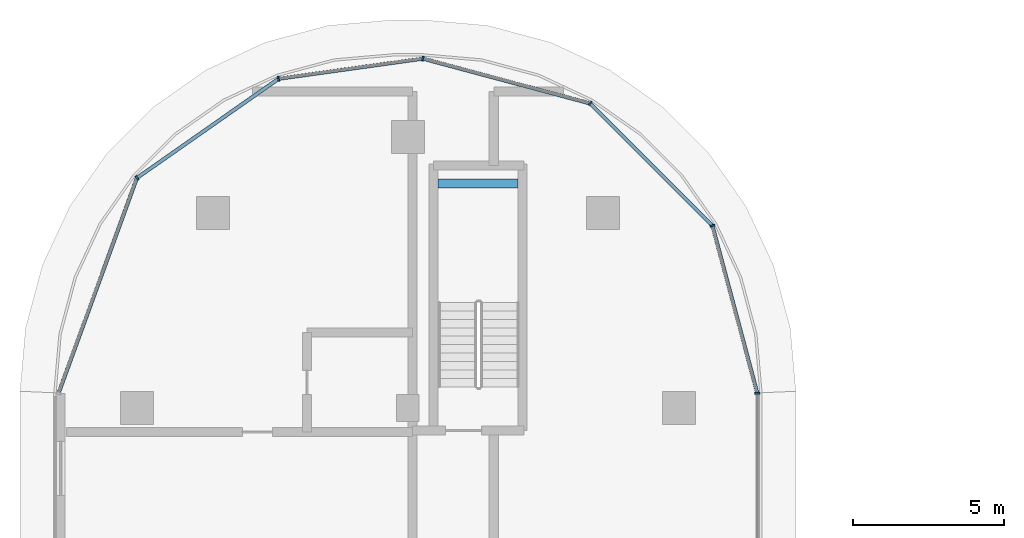
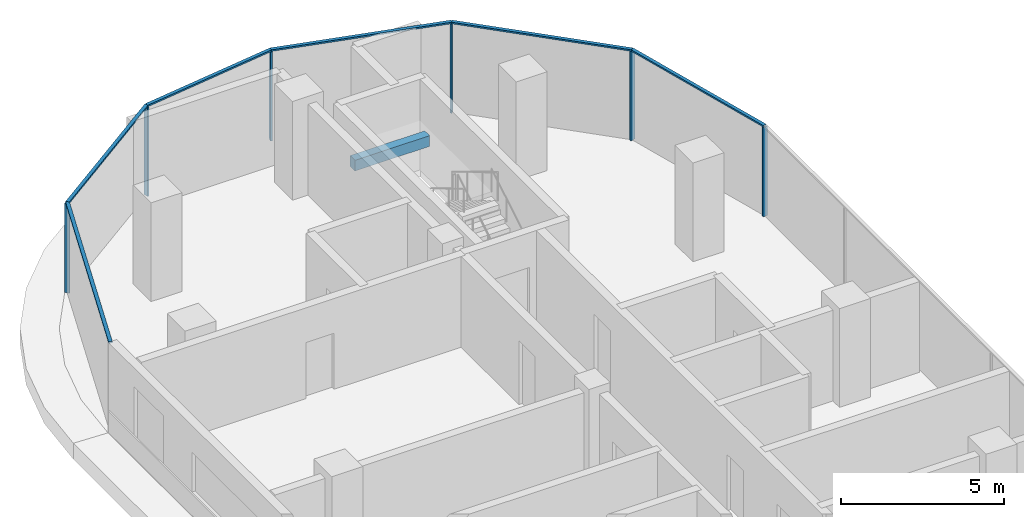
# One storey, part 7 of 23: 12 members, 1 beam, 2 elements without a shape of their own.
"""IFC4 building model written with IfcOpenShell, lengths in metres."""

import ifcopenshell
import ifcopenshell.guid

model = None  # the IFC model being written
_history = None  # IfcOwnerHistory: only IFC2X3 demands one
_inside = {}  # id of a spatial element -> (the spatial element, [elements in it])
_under = {}  # id of a project, library or spatial element -> (it, [spatial elements below it])
_declared = {}  # id of a project -> (the project, [libraries it declares])
_typed = {}  # id of a type object -> (the type object, [elements of that type])
_made_of = {}  # id of a material, layer set ... -> (it, [elements and type objects made of it])


def new_model(schema):
    """Start an empty IFC model of exactly this schema.

    Asked for "IFC4X3", IfcOpenShell would pick the latest addendum, in which some entities
    have other attributes; the version numbers below select the first issue.
    IFC2X3 requires an IfcOwnerHistory on every rooted entity: one is made here for all.
    """
    global model, _history
    if schema == "IFC4X3":
        model = ifcopenshell.file(schema_version=(4, 3, 0, 0))
    else:
        model = ifcopenshell.file(schema=schema)
    _inside.clear()
    _under.clear()
    _declared.clear()
    _typed.clear()
    _made_of.clear()
    _history = None
    if model.schema == "IFC2X3":
        org = make("IfcOrganization", Name="unknown")
        user = make(
            "IfcPersonAndOrganization",
            ThePerson=make("IfcPerson", FamilyName="unknown"),
            TheOrganization=org,
        )
        app = make(
            "IfcApplication",
            ApplicationDeveloper=org,
            Version="unknown",
            ApplicationFullName="unknown",
            ApplicationIdentifier="unknown",
        )
        _history = make(
            "IfcOwnerHistory",
            OwningUser=user,
            OwningApplication=app,
            ChangeAction="ADDED",
            CreationDate=0,
        )
    return model


def make(cls, **values):
    """One entity of the class cls with the attributes given. An attribute that is None is left unset."""
    return model.create_entity(
        cls, **{name: value for name, value in values.items() if value is not None}
    )


def rooted(cls, **values):
    """An entity with a GlobalId (a new one), such as an element, a storey or a relation."""
    return make(cls, GlobalId=ifcopenshell.guid.new(), OwnerHistory=_history, **values)


def si_unit(unit_type, name, prefix=None):
    """IfcSIUnit, for example si_unit("LENGTHUNIT", "METRE", prefix="MILLI")."""
    return make("IfcSIUnit", UnitType=unit_type, Prefix=prefix, Name=name)


def assignment(units):
    """IfcUnitAssignment: the units of a project."""
    return None if units is None else make("IfcUnitAssignment", Units=units)


def point(xyz):
    """IfcCartesianPoint."""
    return None if xyz is None else make("IfcCartesianPoint", Coordinates=xyz)


def direction(xyz):
    """IfcDirection."""
    return None if xyz is None else make("IfcDirection", DirectionRatios=xyz)


def frame(location, z_axis=None, x_axis=None):
    """IfcAxis2Placement3D, a coordinate frame: its origin and axes. An axis left out is left unset."""
    return make(
        "IfcAxis2Placement3D",
        Location=point(location),
        Axis=direction(z_axis),
        RefDirection=direction(x_axis),
    )


def frame_2d(location, x_axis=None):
    """IfcAxis2Placement2D, a coordinate frame in the plane: its origin and x axis."""
    return make(
        "IfcAxis2Placement2D", Location=point(location), RefDirection=direction(x_axis)
    )


def origin():
    """The frame at (0, 0, 0) with its axes left unset."""
    return frame((0.0, 0.0, 0.0))


def origin_2d():
    """The frame at (0, 0) in the plane with its x axis left unset."""
    return frame_2d((0.0, 0.0))


def place(relative_to, where):
    """IfcLocalPlacement: puts the frame where relative to a parent placement (None: the world)."""
    return make(
        "IfcLocalPlacement", PlacementRelTo=relative_to, RelativePlacement=where
    )


def context(
    kind, dimensions, precision=None, world=None, true_north=None, identifier=None
):
    """IfcGeometricRepresentationContext, for example the 3D "Model" context."""
    return make(
        "IfcGeometricRepresentationContext",
        ContextIdentifier=identifier,
        ContextType=kind,
        CoordinateSpaceDimension=dimensions,
        Precision=precision,
        WorldCoordinateSystem=world,
        TrueNorth=true_north,
    )


def subcontext(parent, identifier, kind, view, scale=None):
    """IfcGeometricRepresentationSubContext, for example "Body" below "Model"."""
    return make(
        "IfcGeometricRepresentationSubContext",
        ContextIdentifier=identifier,
        ContextType=kind,
        ParentContext=parent,
        TargetScale=scale,
        TargetView=view,
    )


def project(units=None, contexts=None):
    """IfcProject with its units and contexts."""
    return rooted(
        "IfcProject",
        Name="project",
        RepresentationContexts=contexts,
        UnitsInContext=assignment(units),
    )


def spatial(cls, under=None, at=None, **own):
    """A site, building, storey or space (cls), placed at a placement, below another one or the project."""
    s = rooted(cls, ObjectPlacement=at, **own)
    if under is not None:
        _under.setdefault(under.id(), (under, []))[1].append(s)
    return s


def profile(cls, at=None, kind="AREA", **sizes):
    """A parametric profile (cls). Its sizes go by their IFC names, for example OverallWidth=200.0."""
    return make(cls, ProfileType=kind, Position=at, **sizes)


def rectangle(**sizes):
    """IfcRectangleProfileDef."""
    return profile("IfcRectangleProfileDef", **sizes)


def extrude(swept, where, along, depth):
    """IfcExtrudedAreaSolid: the profile swept, set in the frame where, extruded along a direction by depth."""
    return make(
        "IfcExtrudedAreaSolid",
        SweptArea=swept,
        Position=where,
        ExtrudedDirection=direction(along),
        Depth=depth,
    )


def shape(context_of_items, identifier, shape_type, items):
    """IfcShapeRepresentation: the items that make up one representation, for example the "Body"."""
    return make(
        "IfcShapeRepresentation",
        ContextOfItems=context_of_items,
        RepresentationIdentifier=identifier,
        RepresentationType=shape_type,
        Items=items,
    )


def material(Name=None, Category=None):
    """IfcMaterial."""
    return make("IfcMaterial", Name=Name, Category=Category)


def material_profile(
    of_material, cross_section, Name=None, Category=None, Priority=None
):
    """IfcMaterialProfile: a cross section and its material."""
    return make(
        "IfcMaterialProfile",
        Name=Name,
        Material=of_material,
        Profile=cross_section,
        Priority=Priority,
        Category=Category,
    )


def profile_set(profiles, Name=None, composite=None):
    """IfcMaterialProfileSet."""
    return make(
        "IfcMaterialProfileSet",
        Name=Name,
        MaterialProfiles=profiles,
        CompositeProfile=composite,
    )


def made_of(thing, what):
    """Note that an element or type object is made of a material, layer set ...; save() writes the relation."""
    if what is not None:
        _made_of.setdefault(what.id(), (what, []))[1].append(thing)
    return thing


def type_object(cls, material=None, **own):
    """A type object (cls), such as IfcWallType, which elements share."""
    return made_of(rooted(cls, **own), material)


def element(
    cls,
    number,
    at=None,
    inside=None,
    cuts=None,
    type_object=None,
    material=None,
    context=None,
    identifier="Body",
    shape_type=None,
    held_by="IfcProductDefinitionShape",
    body=None,
    shapes=None,
    **own,
):
    """One element of the class cls, such as IfcWall. Its Tag is "e" and its number.

    at: its placement. inside: the storey or other place that contains it. cuts: it is an
    opening in that element (IfcRelVoidsElement). A single representation is given by context,
    identifier, shape_type and body (its items); several are given by shapes. held_by: the class
    of the entity that holds the representations. save() writes the other relations.
    """
    e = rooted(cls, Tag="e%d" % number, ObjectPlacement=at, **own)
    if body is not None:
        shapes = [shape(context, identifier, shape_type, body)]
    if shapes is not None:
        e.Representation = make(held_by, Representations=shapes)
    if inside is not None:
        _inside.setdefault(inside.id(), (inside, []))[1].append(e)
    if cuts is not None:
        rooted(
            "IfcRelVoidsElement", RelatingBuildingElement=cuts, RelatedOpeningElement=e
        )
    if type_object is not None:
        _typed.setdefault(type_object.id(), (type_object, []))[1].append(e)
    return made_of(e, material)


def aggregate(whole, parts):
    """IfcRelAggregates: a whole, such as a stair, and the parts it consists of."""
    return rooted("IfcRelAggregates", RelatingObject=whole, RelatedObjects=parts)


def save(model, path):
    """Write the relations noted so far, then the file.

    IfcRelAggregates (storeys below a building ...), IfcRelContainedInSpatialStructure (elements
    in a storey), IfcRelDefinesByType, IfcRelAssociatesMaterial and IfcRelDeclares: one each for
    every whole, place, type object, material and project.
    """
    for whole, parts in _under.values():
        aggregate(whole, parts)
    for where, things in _inside.values():
        rooted(
            "IfcRelContainedInSpatialStructure",
            RelatedElements=things,
            RelatingStructure=where,
        )
    for kind, things in _typed.values():
        rooted("IfcRelDefinesByType", RelatedObjects=things, RelatingType=kind)
    for what, things in _made_of.values():
        rooted("IfcRelAssociatesMaterial", RelatedObjects=things, RelatingMaterial=what)
    for by, libraries in _declared.values():
        rooted("IfcRelDeclares", RelatingContext=by, RelatedDefinitions=libraries)
    model.write(path)


model = new_model("IFC4")

# Units and contexts
model_context = context("Model", 3, precision=1e-05, world=origin(), true_north=direction((0.0, 1.0)))
body_context = subcontext(model_context, "Body", "Model", "MODEL_VIEW")
ifc_project = project(units=[si_unit("LENGTHUNIT", "METRE"), si_unit("AREAUNIT", "SQUARE_METRE"), si_unit("VOLUMEUNIT", "CUBIC_METRE"), si_unit("PLANEANGLEUNIT", "RADIAN"), si_unit("MASSUNIT", "GRAM", prefix="KILO")], contexts=[model_context])

# Site, building, storey
site_placement = place(None, origin())
site = spatial("IfcSite", under=ifc_project, at=site_placement, CompositionType="ELEMENT")
building_placement = place(site_placement, origin())
building = spatial("IfcBuilding", under=site, at=building_placement, Name="Ogive Portal Towers", CompositionType="ELEMENT")
storey_placement = place(building_placement, frame((0.0, 0.0, 179.199951171875)))
storey = spatial("IfcBuildingStorey", under=building, at=storey_placement, Name="L44", CompositionType="ELEMENT", Elevation=179.199951171875)

# Beam
ifc_material_1 = material(Name="Concrete C40/50", Category="concrete")
ifc_material_profile_1 = material_profile(ifc_material_1, rectangle(XDim=0.300048828125, YDim=0.39990234375, at=origin_2d()), Name="RC 300x400")
ifc_profile_set_1 = profile_set([ifc_material_profile_1], Name="Concrete C40/50")
beam_type = type_object("IfcBeamType", Name="BEAM RC 300x400", PredefinedType="BEAM", material=ifc_profile_set_1)
beam_placement = place(storey_placement, frame((41.5, 73.949951171875, 1.449951171875), z_axis=(1.0, 0.0, 0.0), x_axis=(0.0, 1.0, 0.0)))
element("IfcBeam", 1, at=beam_placement, inside=storey, type_object=beam_type, Name="Landing beam L44", PredefinedType="BEAM", context=body_context, shape_type="SweptSolid", body=[
    extrude(rectangle(XDim=0.300048828125, YDim=0.39990234375, at=origin_2d()), origin(), (0.0, 0.0, 1.0), 2.64990234375),
])

# Curtain wall, member
ifc_material_2 = material(Name="Glass, clear low-iron insulated glazing", Category="glass")
curtain_wall_type = type_object("IfcCurtainWallType", Name="CW FRONT RIBBON 4500", PredefinedType="NOTDEFINED", material=ifc_material_2)
curtain_wall_1_placement = place(storey_placement, origin())
curtain_wall_1 = element("IfcCurtainWall", 2, at=curtain_wall_1_placement, inside=storey, type_object=curtain_wall_type, Name="A:L44:f14:cw0", PredefinedType="NOTDEFINED")
ifc_material_3 = material(Name="Aluminium 6063 anodised", Category="aluminium")
ifc_material_profile_2 = material_profile(ifc_material_3, rectangle(XDim=0.159912109375, YDim=0.06005859375, at=origin_2d()), Name="AL 60x160")
ifc_profile_set_2 = profile_set([ifc_material_profile_2], Name="Aluminium 6063 anodised")
member_type_1 = type_object("IfcMemberType", Name="CW MULLION 60x160", PredefinedType="MULLION", material=ifc_profile_set_2)
member_1_placement = place(storey_placement, frame((52.10009765625, 66.989501953125, 0.0), z_axis=(0.0, 0.0, 1.0), x_axis=(-1.0, 0.0, 0.0)))
member_1 = element("IfcMember", 3, at=member_1_placement, type_object=member_type_1, Name="mullion", PredefinedType="MULLION", context=body_context, shape_type="SweptSolid", body=[
    extrude(rectangle(XDim=0.159912109375, YDim=0.06005859375, at=origin_2d()), origin(), (0.0, 0.0, 1.0), 3.340087890625),
])
aggregate(curtain_wall_1, [member_1])

# Curtain wall, members
curtain_wall_2_placement = place(storey_placement, origin())
curtain_wall_2 = element("IfcCurtainWall", 4, at=curtain_wall_2_placement, inside=storey, type_object=curtain_wall_type, Name="A:L44:f15:cwa", PredefinedType="NOTDEFINED")
member_2_placement = place(storey_placement, frame((50.6103515625, 72.548583984375, 0.0), z_axis=(0.0, 0.0, 1.0), x_axis=(-0.965925826289, -0.258819045103, 0.0)))
member_2 = element("IfcMember", 5, at=member_2_placement, type_object=member_type_1, Name="mullion", PredefinedType="MULLION", context=body_context, shape_type="SweptSolid", body=[
    extrude(rectangle(XDim=0.159912109375, YDim=0.06005859375, at=origin_2d()), origin(), (0.0, 0.0, 1.0), 3.340087890625),
])
member_3_placement = place(storey_placement, frame((46.548583984375, 76.6103515625, 0.0), z_axis=(0.0, 0.0, 1.0), x_axis=(-0.707106781187, -0.707106781187, 0.0)))
member_3 = element("IfcMember", 6, at=member_3_placement, type_object=member_type_1, Name="mullion", PredefinedType="MULLION", context=body_context, shape_type="SweptSolid", body=[
    extrude(rectangle(XDim=0.159912109375, YDim=0.06005859375, at=origin_2d()), origin(), (0.0, 0.0, 1.0), 3.340087890625),
])
member_4_placement = place(storey_placement, frame((40.994873046875, 78.0986328125, 0.0), z_axis=(0.0, 0.0, 1.0), x_axis=(-0.258819045103, -0.965925826289, 0.0)))
member_4 = element("IfcMember", 7, at=member_4_placement, type_object=member_type_1, Name="mullion", PredefinedType="MULLION", context=body_context, shape_type="SweptSolid", body=[
    extrude(rectangle(XDim=0.159912109375, YDim=0.06005859375, at=origin_2d()), origin(), (0.0, 0.0, 1.0), 3.340087890625),
])
member_5_placement = place(storey_placement, frame((36.206298828125, 77.42919921875, 0.0), z_axis=(0.0, 0.0, 1.0), x_axis=(0.13842766445, -0.990372546931, 0.0)))
member_5 = element("IfcMember", 8, at=member_5_placement, type_object=member_type_1, Name="mullion", PredefinedType="MULLION", context=body_context, shape_type="SweptSolid", body=[
    extrude(rectangle(XDim=0.159912109375, YDim=0.06005859375, at=origin_2d()), origin(), (0.0, 0.0, 1.0), 3.340087890625),
])
member_6_placement = place(storey_placement, frame((31.502197265625, 74.13525390625, 0.0), z_axis=(0.0, 0.0, 1.0), x_axis=(0.573576436351, -0.819152044289, 0.0)))
member_6 = element("IfcMember", 9, at=member_6_placement, type_object=member_type_1, Name="mullion", PredefinedType="MULLION", context=body_context, shape_type="SweptSolid", body=[
    extrude(rectangle(XDim=0.159912109375, YDim=0.06005859375, at=origin_2d()), origin(), (0.0, 0.0, 1.0), 3.340087890625),
])
ifc_material_profile_3 = material_profile(ifc_material_3, rectangle(XDim=0.1201171875, YDim=0.06005859375, at=origin_2d()), Name="AL 120x60")
ifc_profile_set_3 = profile_set([ifc_material_profile_3], Name="Aluminium 6063 anodised")
member_type_2 = type_object("IfcMemberType", Name="CW TRANSOM 60x120", PredefinedType="USERDEFINED", material=ifc_profile_set_3)
member_7_placement = place(storey_placement, frame((52.10009765625, 66.989501953125, 3.3701171875), z_axis=(-0.258850584986, 0.965917374651, 0.0), x_axis=(-0.965917374651, -0.258850584986, 0.0)))
member_7 = element("IfcMember", 10, at=member_7_placement, type_object=member_type_2, Name="transom", ObjectType="TRANSOM", PredefinedType="USERDEFINED", context=body_context, shape_type="SweptSolid", body=[
    extrude(rectangle(XDim=0.1201171875, YDim=0.06005859375, at=origin_2d()), origin(), (0.0, 0.0, 1.0), 5.755126953125),
])
member_8_placement = place(storey_placement, frame((50.6103515625, 72.548583984375, 3.3701171875), z_axis=(-0.707106781187, 0.707106781187, 0.0), x_axis=(-0.707106781187, -0.707106781187, 0.0)))
member_8 = element("IfcMember", 11, at=member_8_placement, type_object=member_type_2, Name="transom", ObjectType="TRANSOM", PredefinedType="USERDEFINED", context=body_context, shape_type="SweptSolid", body=[
    extrude(rectangle(XDim=0.1201171875, YDim=0.06005859375, at=origin_2d()), origin(), (0.0, 0.0, 1.0), 5.744140625),
])
member_9_placement = place(storey_placement, frame((46.548583984375, 76.6103515625, 3.3701171875), z_axis=(-0.965918482464, 0.258846451077, 0.0), x_axis=(-0.258846451077, -0.965918482464, 0.0)))
member_9 = element("IfcMember", 12, at=member_9_placement, type_object=member_type_2, Name="transom", ObjectType="TRANSOM", PredefinedType="USERDEFINED", context=body_context, shape_type="SweptSolid", body=[
    extrude(rectangle(XDim=0.1201171875, YDim=0.06005859375, at=origin_2d()), origin(), (0.0, 0.0, 1.0), 5.749755859375),
])
member_10_placement = place(storey_placement, frame((40.994873046875, 78.0986328125, 3.3701171875), z_axis=(-0.99036918244, -0.138451733367, 0.0), x_axis=(0.138451733367, -0.99036918244, 0.0)))
member_10 = element("IfcMember", 13, at=member_10_placement, type_object=member_type_2, Name="transom", ObjectType="TRANSOM", PredefinedType="USERDEFINED", context=body_context, shape_type="SweptSolid", body=[
    extrude(rectangle(XDim=0.1201171875, YDim=0.06005859375, at=origin_2d()), origin(), (0.0, 0.0, 1.0), 4.835205078125),
])
member_11_placement = place(storey_placement, frame((36.206298828125, 77.42919921875, 3.3701171875), z_axis=(-0.819144031298, -0.573587879918, 0.0), x_axis=(0.573587879918, -0.819144031298, 0.0)))
member_11 = element("IfcMember", 14, at=member_11_placement, type_object=member_type_2, Name="transom", ObjectType="TRANSOM", PredefinedType="USERDEFINED", context=body_context, shape_type="SweptSolid", body=[
    extrude(rectangle(XDim=0.1201171875, YDim=0.06005859375, at=origin_2d()), origin(), (0.0, 0.0, 1.0), 5.74267578125),
])
member_12_placement = place(storey_placement, frame((31.502197265625, 74.13525390625, 3.3701171875), z_axis=(-0.342034187854, -0.939687508877, 0.0), x_axis=(0.939687508877, -0.342034187854, 0.0)))
member_12 = element("IfcMember", 15, at=member_12_placement, type_object=member_type_2, Name="transom", ObjectType="TRANSOM", PredefinedType="USERDEFINED", context=body_context, shape_type="SweptSolid", body=[
    extrude(rectangle(XDim=0.1201171875, YDim=0.06005859375, at=origin_2d()), origin(), (0.0, 0.0, 1.0), 7.6083984375),
])
aggregate(curtain_wall_2, [member_7, member_8, member_9, member_10, member_11, member_12, member_2, member_3, member_4, member_5, member_6])

save(model, "model.ifc")
